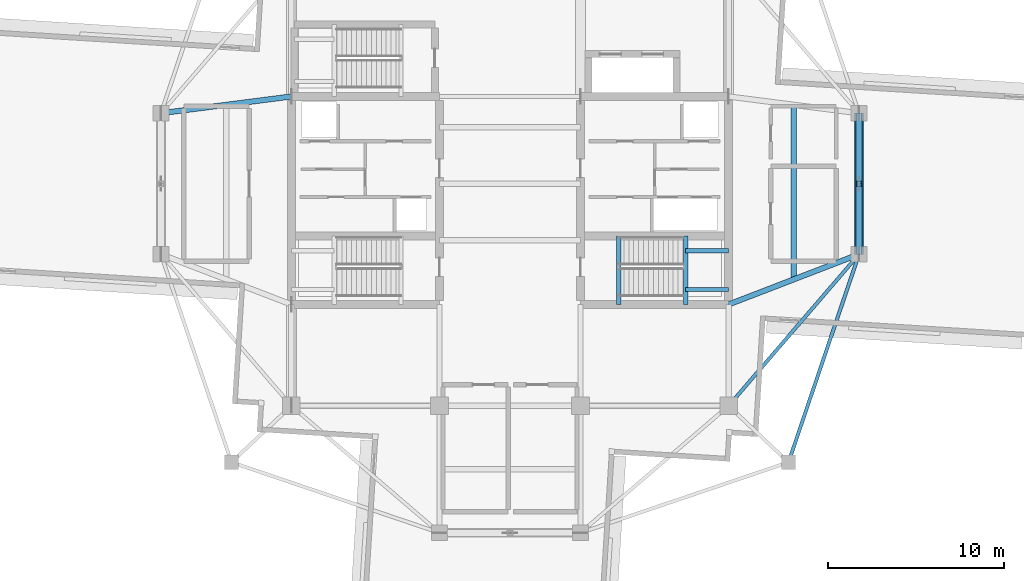
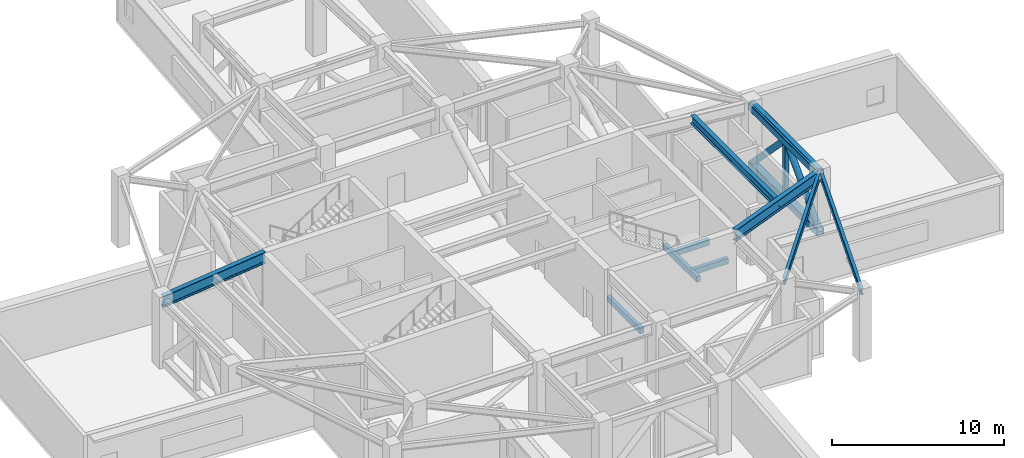
# One storey, part 3 of 14: 10 beams, 5 members.
"""IFC4 building model written with IfcOpenShell, lengths in metres."""

from ifc_helpers import new_model, si_unit, direction, frame, origin, origin_2d, place, context, subcontext, project, spatial, rectangle, hollow_rectangle, hollow_circle, i_section, extrude, material, material_profile, profile_set, type_object, element, save


model = new_model("IFC4")

# Units and contexts
model_context = context("Model", 3, precision=1e-05, world=origin(), true_north=direction((0.0, 1.0)))
body_context = subcontext(model_context, "Body", "Model", "MODEL_VIEW")
ifc_project = project(units=[si_unit("LENGTHUNIT", "METRE"), si_unit("AREAUNIT", "SQUARE_METRE"), si_unit("VOLUMEUNIT", "CUBIC_METRE"), si_unit("PLANEANGLEUNIT", "RADIAN"), si_unit("MASSUNIT", "GRAM", prefix="KILO")], contexts=[model_context])

# Site, building, storey
site_placement = place(None, origin())
site = spatial("IfcSite", under=ifc_project, at=site_placement, CompositionType="ELEMENT")
building_placement = place(site_placement, origin())
building = spatial("IfcBuilding", under=site, at=building_placement, Name="Qingluan Cross Belvedere", CompositionType="ELEMENT")
storey_placement = place(building_placement, frame((0.0, 0.0, 240.300048828125)))
storey = spatial("IfcBuildingStorey", under=building, at=storey_placement, Name="L60", CompositionType="ELEMENT", Elevation=240.300048828125)

# Beams
ifc_material_1 = material(Name="Concrete C45", Category="concrete")
ifc_material_profile_1 = material_profile(ifc_material_1, rectangle(XDim=0.25, YDim=0.39990234375, at=origin_2d()), Name="RC250x400")
ifc_profile_set_1 = profile_set([ifc_material_profile_1], Name="Concrete C45")
beam_type_1 = type_object("IfcBeamType", Name="RC_Lintel_RC250x400", PredefinedType="LINTEL", material=ifc_profile_set_1)
for number, where, z_axis, x_axis, name in (
    (1, (6.179931640625, -6.85009765625, -0.199951171875), (0.0, 1.0, 0.0), (-1.0, 0.0, 0.0), "Stair ST2 landing beam L60"),
    (2, (9.969970703125, -6.85009765625, 2.14990234375), (0.0, 1.0, 0.0), (-1.0, 0.0, 0.0), "Stair ST2 beam A L60"),
):
    element("IfcBeam", number, at=place(storey_placement, frame(where, z_axis=z_axis, x_axis=x_axis)), inside=storey, type_object=beam_type_1, Name=name, PredefinedType="LINTEL", context=body_context, shape_type="SweptSolid", body=[
        extrude(rectangle(XDim=0.25, YDim=0.39990234375, at=origin_2d()), origin(), (0.0, 0.0, 1.0), 3.89013671875),
    ])
for number, where, z_axis, x_axis, name in (
    (3, (12.39990234375, -6.0, 2.14990234375), (-1.0, 0.0, 0.0), (0.0, -1.0, 0.0), "Stair ST2 beam B L60"),
    (4, (12.39990234375, -3.81005859375, 2.14990234375), (-1.0, 0.0, 0.0), (0.0, -1.0, 0.0), "Stair ST2 beam C L60"),
):
    element("IfcBeam", number, at=place(storey_placement, frame(where, z_axis=z_axis, x_axis=x_axis)), inside=storey, type_object=beam_type_1, Name=name, PredefinedType="LINTEL", context=body_context, shape_type="SweptSolid", body=[
        extrude(rectangle(XDim=0.25, YDim=0.39990234375, at=origin_2d()), origin(), (0.0, 0.0, 1.0), 2.429931640625),
    ])

# Members
ifc_material_2 = material(Name="Steel Q420GJB", Category="steel")
ifc_material_profile_2 = material_profile(ifc_material_2, hollow_circle(Radius=0.202880859375, WallThickness=0.01806640625, at=origin_2d()), Name="CHS406x18")
ifc_profile_set_2 = profile_set([ifc_material_profile_2], Name="Steel Q420GJB")
member_type_1 = type_object("IfcMemberType", Name="SteelMember_BRACE_CHS406x18", PredefinedType="BRACE", material=ifc_profile_set_2)
for number, where, z_axis, x_axis, name in (
    (5, (19.800048828125, -4.0, 0.349853515625), (0.0, 0.6939623188, 0.720011319415), (-1.0, 0.0, 0.0), "Belt truss diagonal A L60-E"),
    (6, (19.800048828125, 4.0, 0.349853515625), (0.0, -0.6939623188, 0.720011319415), (1.0, 0.0, 0.0), "Belt truss diagonal B L60-E"),
):
    element("IfcMember", number, at=place(storey_placement, frame(where, z_axis=z_axis, x_axis=x_axis)), inside=storey, type_object=member_type_1, Name=name, PredefinedType="BRACE", context=body_context, shape_type="SweptSolid", body=[
        extrude(hollow_circle(Radius=0.202880859375, WallThickness=0.01806640625, at=origin_2d()), origin(), (0.0, 0.0, 1.0), 5.763916015625),
    ])
ifc_material_3 = material(Name="Steel Q420GJB", Category="steel")
ifc_material_profile_3 = material_profile(ifc_material_3, hollow_rectangle(XDim=0.5, YDim=0.5, WallThickness=0.02490234375, InnerFilletRadius=0.02490234375, OuterFilletRadius=0.050048828125, at=origin_2d()), Name="RHS500x500x25")
ifc_profile_set_3 = profile_set([ifc_material_profile_3], Name="Steel Q420GJB")
member_type_2 = type_object("IfcMemberType", Name="SteelMember_CHORD_RHS500x500x25", PredefinedType="CHORD", material=ifc_profile_set_3)
for number, where, z_axis, x_axis, name in (
    (7, (19.800048828125, -4.0, 0.349853515625), (0.0, 1.0, 0.0), (-1.0, 0.0, 0.0), "Belt truss bottom chord L60-E"),
    (8, (19.800048828125, -4.0, 4.5), (0.0, 1.0, 0.0), (-1.0, 0.0, 0.0), "Belt truss top chord L60-E"),
):
    element("IfcMember", number, at=place(storey_placement, frame(where, z_axis=z_axis, x_axis=x_axis)), inside=storey, type_object=member_type_2, Name=name, PredefinedType="CHORD", context=body_context, shape_type="SweptSolid", body=[
        extrude(hollow_rectangle(XDim=0.5, YDim=0.5, WallThickness=0.02490234375, InnerFilletRadius=0.02490234375, OuterFilletRadius=0.050048828125, at=origin_2d()), origin(), (0.0, 0.0, 1.0), 8.0),
    ])
ifc_material_4 = material(Name="Steel Q420GJB", Category="steel")
ifc_material_profile_4 = material_profile(ifc_material_4, hollow_rectangle(XDim=0.300048828125, YDim=0.300048828125, WallThickness=0.01611328125, InnerFilletRadius=0.01611328125, OuterFilletRadius=0.031982421875, at=origin_2d()), Name="RHS300x300x16")
ifc_profile_set_4 = profile_set([ifc_material_profile_4], Name="Steel Q420GJB")
member_type_3 = type_object("IfcMemberType", Name="SteelMember_POST_RHS300x300x16", PredefinedType="POST", material=ifc_profile_set_4)
member_placement = place(storey_placement, frame((19.800048828125, 0.0, 0.349853515625), z_axis=(0.0, 0.0, 1.0), x_axis=(1.0, 0.0, 0.0)))
element("IfcMember", 9, at=member_placement, inside=storey, type_object=member_type_3, Name="Belt truss mid-post L60-E", PredefinedType="POST", context=body_context, shape_type="SweptSolid", body=[
    extrude(hollow_rectangle(XDim=0.300048828125, YDim=0.300048828125, WallThickness=0.01611328125, InnerFilletRadius=0.01611328125, OuterFilletRadius=0.031982421875, at=origin_2d()), origin(), (0.0, 0.0, 1.0), 4.150146484375),
])

# Beams
ifc_material_5 = material(Name="Steel Q420GJB", Category="steel")
ifc_material_profile_5 = material_profile(ifc_material_5, i_section(OverallWidth=0.300048828125, OverallDepth=0.587890625, WebThickness=0.011962890625, FlangeThickness=0.02001953125, FilletRadius=0.02392578125, at=origin_2d()), Name="HM588x300x12x20")
ifc_profile_set_5 = profile_set([ifc_material_profile_5], Name="Steel Q420GJB")
beam_type_2 = type_object("IfcBeamType", Name="Steel_Beam_HM588x300x12x20", PredefinedType="BEAM", material=ifc_profile_set_5)
beam_1_placement = place(storey_placement, frame((19.800048828125, -4.0, 4.555908203125), z_axis=(0.0, 1.0, 0.0), x_axis=(-1.0, 0.0, 0.0)))
element("IfcBeam", 10, at=beam_1_placement, inside=storey, type_object=beam_type_2, Name="Arm E tie L60", PredefinedType="BEAM", context=body_context, shape_type="SweptSolid", body=[
    extrude(i_section(OverallWidth=0.300048828125, OverallDepth=0.587890625, WebThickness=0.011962890625, FlangeThickness=0.02001953125, FilletRadius=0.02392578125, at=origin_2d()), origin(), (0.0, 0.0, 1.0), 8.0),
])
beam_2_placement = place(storey_placement, frame((16.10009765625, -5.425048828125, 4.555908203125), z_axis=(0.0, 1.0, 0.0), x_axis=(-1.0, 0.0, 0.0)))
element("IfcBeam", 11, at=beam_2_placement, inside=storey, type_object=beam_type_2, Name="Arm E beam L60", PredefinedType="BEAM", context=body_context, shape_type="SweptSolid", body=[
    extrude(i_section(OverallWidth=0.300048828125, OverallDepth=0.587890625, WebThickness=0.011962890625, FlangeThickness=0.02001953125, FilletRadius=0.02392578125, at=origin_2d()), origin(), (0.0, 0.0, 1.0), 9.900146484375),
])
ifc_material_6 = material(Name="Steel Q420GJB", Category="steel")
ifc_material_profile_6 = material_profile(ifc_material_6, i_section(OverallWidth=0.199951171875, OverallDepth=0.449951171875, WebThickness=0.009033203125, FlangeThickness=0.013916015625, FilletRadius=0.01611328125, at=origin_2d()), Name="HN450x200x9x14")
ifc_profile_set_6 = profile_set([ifc_material_profile_6], Name="Steel Q420GJB")
beam_type_3 = type_object("IfcBeamType", Name="Steel_Beam_HN450x200x9x14", PredefinedType="JOIST", material=ifc_profile_set_6)
beam_3_placement = place(storey_placement, frame((15.800048828125, -15.800048828125, 4.625), z_axis=(0.321038089628, 0.947066283324, 0.0), x_axis=(-0.947066283324, 0.321038089628, 0.0)))
element("IfcBeam", 12, at=beam_3_placement, inside=storey, type_object=beam_type_3, Name="Corner beam 3 L60-RSE", PredefinedType="JOIST", context=body_context, shape_type="SweptSolid", body=[
    extrude(i_section(OverallWidth=0.199951171875, OverallDepth=0.449951171875, WebThickness=0.009033203125, FlangeThickness=0.013916015625, FilletRadius=0.01611328125, at=origin_2d()), origin(), (0.0, 0.0, 1.0), 12.45947265625),
])
beam_4_placement = place(storey_placement, frame((12.39990234375, -12.60009765625, 4.625), z_axis=(0.652245077546, 0.75800815221, 0.0), x_axis=(-0.75800815221, 0.652245077546, 0.0)))
element("IfcBeam", 13, at=beam_4_placement, inside=storey, type_object=beam_type_3, Name="Corner beam 4 L60-RSE", PredefinedType="JOIST", context=body_context, shape_type="SweptSolid", body=[
    extrude(i_section(OverallWidth=0.199951171875, OverallDepth=0.449951171875, WebThickness=0.009033203125, FlangeThickness=0.013916015625, FilletRadius=0.01611328125, at=origin_2d()), origin(), (0.0, 0.0, 1.0), 11.345703125),
])
ifc_material_7 = material(Name="Steel Q420GJB", Category="steel")
ifc_material_profile_7 = material_profile(ifc_material_7, i_section(OverallWidth=0.305908203125, OverallDepth=0.81396484375, WebThickness=0.02099609375, FlangeThickness=0.0400390625, FilletRadius=0.030029296875, at=origin_2d()), Name="HEM800")
ifc_profile_set_7 = profile_set([ifc_material_profile_7], Name="Steel Q420GJB")
beam_type_4 = type_object("IfcBeamType", Name="Steel_Girder_HEM800", PredefinedType="USERDEFINED", material=ifc_profile_set_7)
beam_5_placement = place(storey_placement, frame((12.39990234375, -6.85009765625, 4.44287109375), z_axis=(0.933181258889, 0.359406090735, 0.0), x_axis=(-0.359406090735, 0.933181258889, 0.0)))
element("IfcBeam", 14, at=beam_5_placement, inside=storey, type_object=beam_type_4, Name="Arm E radial girder A L60", ObjectType="GIRDER", PredefinedType="USERDEFINED", context=body_context, shape_type="SweptSolid", body=[
    extrude(i_section(OverallWidth=0.305908203125, OverallDepth=0.81396484375, WebThickness=0.02099609375, FlangeThickness=0.0400390625, FilletRadius=0.030029296875, at=origin_2d()), origin(), (0.0, 0.0, 1.0), 7.929931640625),
])
beam_6_placement = place(storey_placement, frame((-12.39990234375, 4.949951171875, 4.44287109375), z_axis=(-0.991861120628, -0.12732445714, 0.0), x_axis=(0.12732445714, -0.991861120628, 0.0)))
element("IfcBeam", 15, at=beam_6_placement, inside=storey, type_object=beam_type_4, Name="Arm W radial girder B L60", ObjectType="GIRDER", PredefinedType="USERDEFINED", context=body_context, shape_type="SweptSolid", body=[
    extrude(i_section(OverallWidth=0.305908203125, OverallDepth=0.81396484375, WebThickness=0.02099609375, FlangeThickness=0.0400390625, FilletRadius=0.030029296875, at=origin_2d()), origin(), (0.0, 0.0, 1.0), 7.4609375),
])

save(model, "model.ifc")
